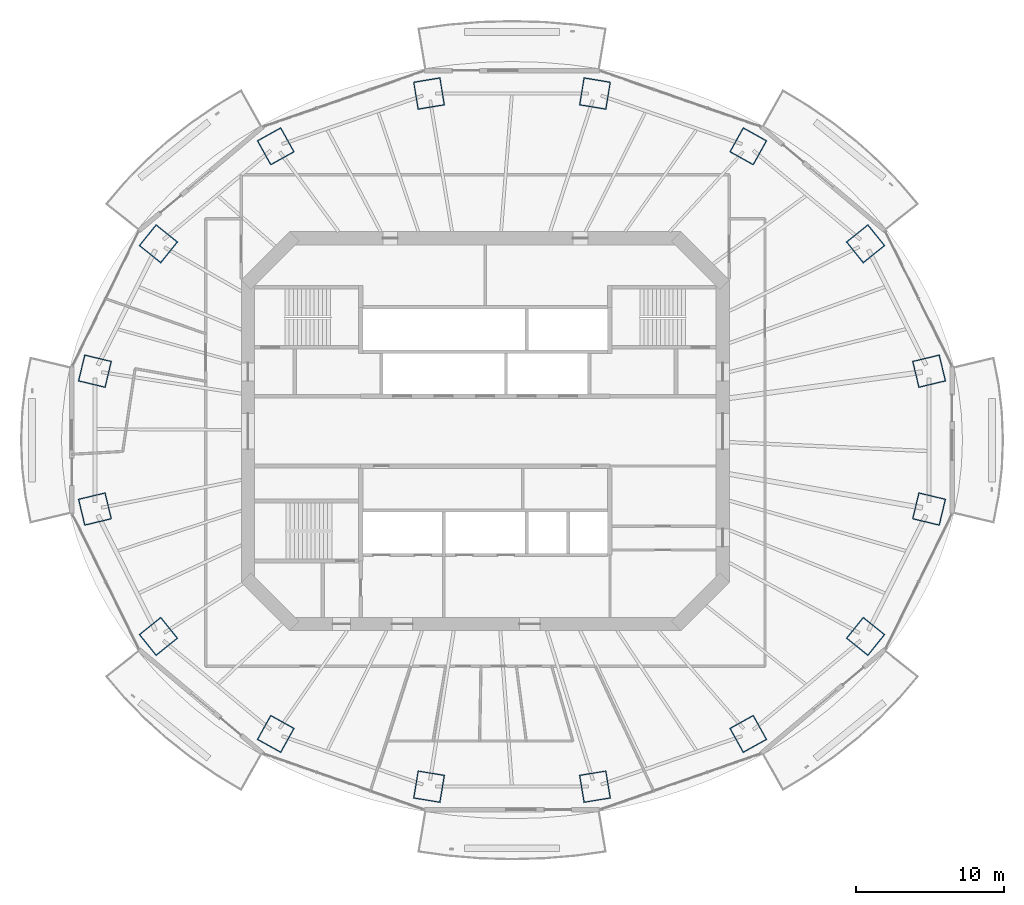
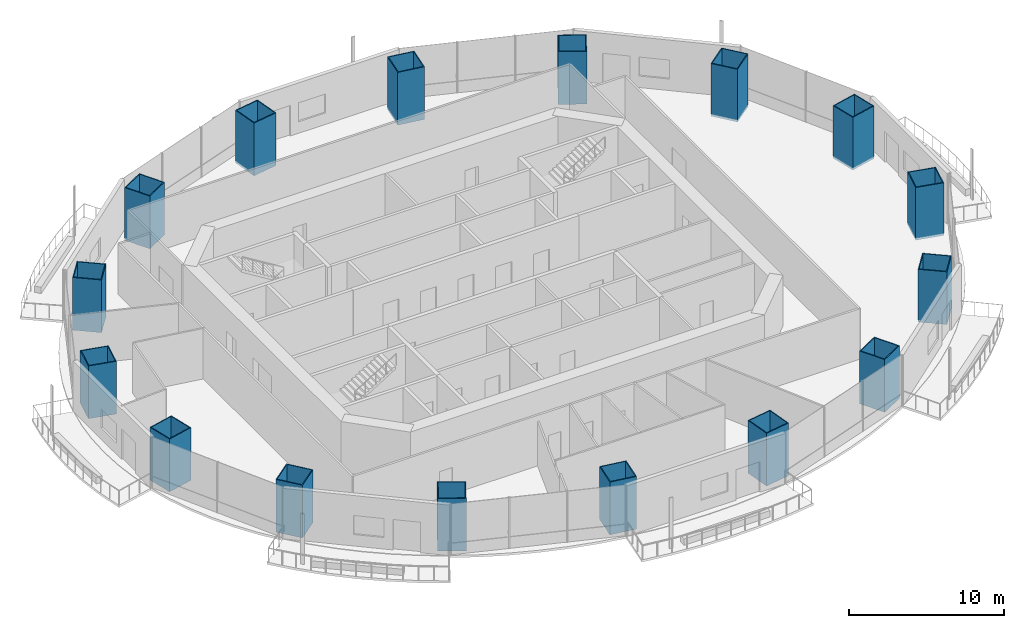
# One storey, part 1 of 19: 16 columns.
"""IFC4 building model written with IfcOpenShell, lengths in metres."""

from ifc_helpers import new_model, si_unit, direction, frame, origin, origin_2d, place, context, subcontext, project, spatial, rectangle, hollow_rectangle, extrude, material, material_profile, profile_set, type_object, element, save


model = new_model("IFC4")

# Units and contexts
model_context = context("Model", 3, precision=1e-05, world=origin(), true_north=direction((0.0, 1.0)))
body_context = subcontext(model_context, "Body", "Model", "MODEL_VIEW")
ifc_project = project(units=[si_unit("LENGTHUNIT", "METRE"), si_unit("AREAUNIT", "SQUARE_METRE"), si_unit("VOLUMEUNIT", "CUBIC_METRE"), si_unit("PLANEANGLEUNIT", "RADIAN"), si_unit("MASSUNIT", "GRAM", prefix="KILO")], contexts=[model_context])

# Site, building, storey
site_placement = place(None, origin())
site = spatial("IfcSite", under=ifc_project, at=site_placement, CompositionType="ELEMENT")
building_placement = place(site_placement, origin())
building = spatial("IfcBuilding", under=site, at=building_placement, Name="Marenthal Gate Tower", CompositionType="ELEMENT")
storey_placement = place(building_placement, frame((0.0, 0.0, 244.050048828125)))
storey = spatial("IfcBuildingStorey", under=building, at=storey_placement, Name="L54", CompositionType="ELEMENT", Elevation=244.050048828125)

# Columns
ifc_material_1 = material(Name="Steel S460", Category="steel")
ifc_material_profile_1 = material_profile(ifc_material_1, hollow_rectangle(XDim=1.85009765625, YDim=1.89990234375, WallThickness=0.06494140625, at=origin_2d()), Name="CFT BOX 1900X1850X65")
ifc_material_2 = material(Name="Concrete 70 MPa", Category="concrete")
ifc_material_profile_2 = material_profile(ifc_material_2, rectangle(XDim=1.719970703125, YDim=1.77001953125, at=origin_2d()), Name="CFT BOX 1900X1850X65 INFILL")
ifc_profile_set = profile_set([ifc_material_profile_1, ifc_material_profile_2], Name="Steel S460 shell, Concrete 70 MPa infill")
column_type = type_object("IfcColumnType", Name="CFT BOX 1900X1850X65", PredefinedType="COLUMN", material=ifc_profile_set)
for number, where, z_axis, x_axis, name in (
    (1, (29.914306640625, 4.046875, -0.179931640625), (0.0, 0.0, 1.0), (0.232803807157, -0.972523720725, 0.0), "COL-L54-01"),
    (2, (25.634033203125, 12.633056640625, -0.179931640625), (0.0, 0.0, 1.0), (0.626651417242, -0.779299686429, 0.0), "COL-L54-02"),
    (3, (17.725341796875, 19.204833984375, -0.179931640625), (0.0, 0.0, 1.0), (0.874281880279, -0.485418575886, 0.0), "COL-L54-03"),
    (4, (7.392333984375, 22.76123046875, -0.179931640625), (0.0, 0.0, 1.0), (0.9866140326, -0.163072838561, 0.0), "COL-L54-04"),
    (5, (-3.792236328125, 22.76123046875, -0.179931640625), (0.0, 0.0, 1.0), (0.9866140326, 0.163072838561, 0.0), "COL-L54-05"),
    (6, (-14.12548828125, 19.204833984375, -0.179931640625), (0.0, 0.0, 1.0), (0.874281880279, 0.485418575886, 0.0), "COL-L54-06"),
    (7, (-22.0341796875, 12.633056640625, -0.179931640625), (0.0, 0.0, 1.0), (0.626651417242, 0.779299686429, 0.0), "COL-L54-07"),
    (8, (-26.314208984375, 4.046875, -0.179931640625), (0.0, 0.0, 1.0), (0.232803807157, 0.972523720725, 0.0), "COL-L54-08"),
    (9, (-26.314208984375, -5.246826171875, -0.179931640625), (0.0, 0.0, 1.0), (-0.232803807157, 0.972523720725, 0.0), "COL-L54-09"),
    (10, (-22.0341796875, -13.8330078125, -0.179931640625), (0.0, 0.0, 1.0), (-0.626651417242, 0.779299686429, 0.0), "COL-L54-10"),
    (11, (-14.12548828125, -20.40478515625, -0.179931640625), (0.0, 0.0, 1.0), (-0.874281880279, 0.485418575886, 0.0), "COL-L54-11"),
    (12, (-3.792236328125, -23.961181640625, -0.179931640625), (0.0, 0.0, 1.0), (-0.9866140326, 0.163072838561, 0.0), "COL-L54-12"),
    (13, (7.392333984375, -23.961181640625, -0.179931640625), (0.0, 0.0, 1.0), (-0.9866140326, -0.163072838561, 0.0), "COL-L54-13"),
    (14, (17.725341796875, -20.40478515625, -0.179931640625), (0.0, 0.0, 1.0), (-0.874281880279, -0.485418575886, 0.0), "COL-L54-14"),
    (15, (25.634033203125, -13.8330078125, -0.179931640625), (0.0, 0.0, 1.0), (-0.626651417242, -0.779299686429, 0.0), "COL-L54-15"),
    (16, (29.914306640625, -5.246826171875, -0.179931640625), (0.0, 0.0, 1.0), (-0.232803807157, -0.972523720725, 0.0), "COL-L54-16"),
):
    element("IfcColumn", number, at=place(storey_placement, frame(where, z_axis=z_axis, x_axis=x_axis)), inside=storey, type_object=column_type, Name=name, PredefinedType="COLUMN", context=body_context, shape_type="SweptSolid", body=[
        extrude(hollow_rectangle(XDim=1.85009765625, YDim=1.89990234375, WallThickness=0.06494140625, at=origin_2d()), origin(), (0.0, 0.0, 1.0), 4.14990234375),
    ])

save(model, "model.ifc")
